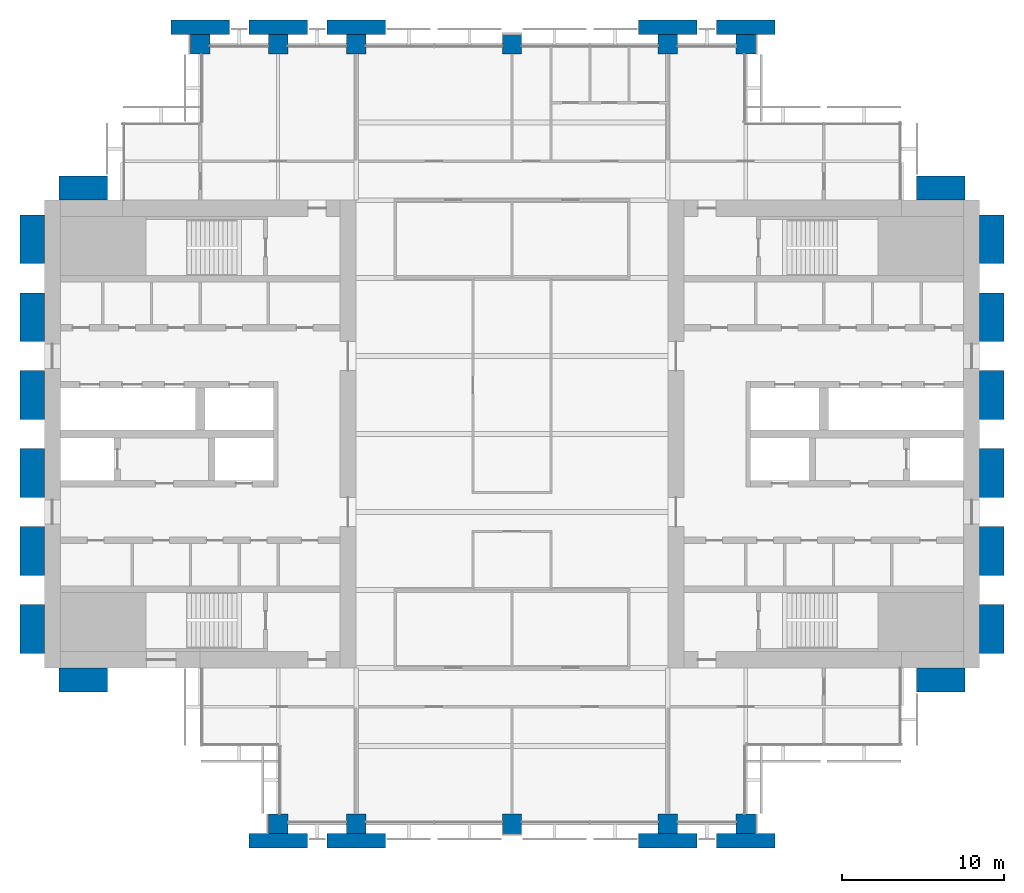
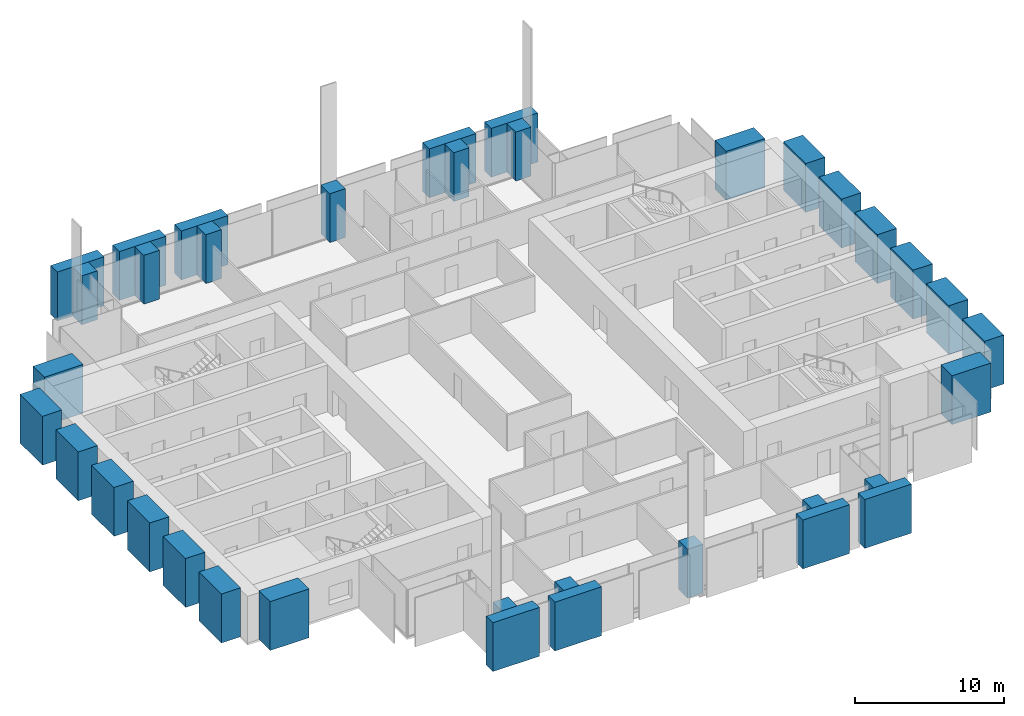
# One storey, part 1 of 14: 36 columns.
"""IFC4 building model written with IfcOpenShell, lengths in metres."""

from ifc_helpers import new_model, si_unit, direction, frame, origin, origin_2d, place, context, subcontext, project, spatial, rectangle, extrude, material, material_profile, profile_set, type_object, element, save


model = new_model("IFC4")

# Units and contexts
model_context = context("Model", 3, precision=1e-05, world=origin(), true_north=direction((0.0, 1.0)))
body_context = subcontext(model_context, "Body", "Model", "MODEL_VIEW")
ifc_project = project(units=[si_unit("LENGTHUNIT", "METRE"), si_unit("AREAUNIT", "SQUARE_METRE"), si_unit("VOLUMEUNIT", "CUBIC_METRE"), si_unit("PLANEANGLEUNIT", "RADIAN"), si_unit("MASSUNIT", "GRAM", prefix="KILO")], contexts=[model_context])

# Site, building, storey
site_placement = place(None, origin())
site = spatial("IfcSite", under=ifc_project, at=site_placement, CompositionType="ELEMENT")
building_placement = place(site_placement, origin())
building = spatial("IfcBuilding", under=site, at=building_placement, Name="Baori Bourse Tower", CompositionType="ELEMENT")
storey_placement = place(building_placement, frame((0.0, 0.0, 108.10009765625)))
storey = spatial("IfcBuildingStorey", under=building, at=storey_placement, Name="L22", CompositionType="ELEMENT", Elevation=108.10009765625)

# Columns
ifc_material_1 = material(Name="Concrete f'c 60 MPa", Category="concrete")
ifc_material_profile_1 = material_profile(ifc_material_1, rectangle(XDim=3.60009765625, YDim=0.89990234375, at=origin_2d()), Name="RC 3600x900")
ifc_profile_set_1 = profile_set([ifc_material_profile_1], Name="Concrete f'c 60 MPa")
column_type_1 = type_object("IfcColumnType", Name="FN3 Brick pilaster 3600x900", PredefinedType="PILASTER", material=ifc_profile_set_1)
for number, where, z_axis, x_axis, name in (
    (1, (14.39990234375, -1.050048828125, 0.0), (0.0, 0.0, 1.0), (1.0, 0.0, 0.0), "Brick pilaster L22 17"),
    (2, (19.199951171875, -1.050048828125, 0.0), (0.0, 0.0, 1.0), (1.0, 0.0, 0.0), "Brick pilaster L22 18"),
    (3, (38.39990234375, -1.050048828125, 0.0), (0.0, 0.0, 1.0), (1.0, 0.0, 0.0), "Brick pilaster L22 19"),
    (4, (43.199951171875, -1.050048828125, 0.0), (0.0, 0.0, 1.0), (1.0, 0.0, 0.0), "Brick pilaster L22 20"),
    (5, (9.60009765625, 49.050048828125, 0.0), (0.0, 0.0, 1.0), (1.0, 0.0, 0.0), "Brick pilaster L22 21"),
    (6, (14.39990234375, 49.050048828125, 0.0), (0.0, 0.0, 1.0), (1.0, 0.0, 0.0), "Brick pilaster L22 22"),
    (7, (19.199951171875, 49.050048828125, 0.0), (0.0, 0.0, 1.0), (1.0, 0.0, 0.0), "Brick pilaster L22 23"),
    (8, (38.39990234375, 49.050048828125, 0.0), (0.0, 0.0, 1.0), (1.0, 0.0, 0.0), "Brick pilaster L22 24"),
    (9, (43.199951171875, 49.050048828125, 0.0), (0.0, 0.0, 1.0), (1.0, 0.0, 0.0), "Brick pilaster L22 25"),
):
    element("IfcColumn", number, at=place(storey_placement, frame(where, z_axis=z_axis, x_axis=x_axis)), inside=storey, type_object=column_type_1, Name=name, PredefinedType="PILASTER", context=body_context, shape_type="SweptSolid", body=[
        extrude(rectangle(XDim=3.60009765625, YDim=0.89990234375, at=origin_2d()), origin(), (0.0, 0.0, 1.0), 4.0),
    ])
ifc_material_2 = material(Name="Concrete f'c 60 MPa", Category="concrete")
ifc_material_profile_2 = material_profile(ifc_material_2, rectangle(XDim=3.0, YDim=1.5, at=origin_2d()), Name="RC 3000x1500")
ifc_profile_set_2 = profile_set([ifc_material_profile_2], Name="Concrete f'c 60 MPa")
column_type_2 = type_object("IfcColumnType", Name="FN4 Brick flank pilaster 3000x1500", PredefinedType="PILASTER", material=ifc_profile_set_2)
for number, where, z_axis, x_axis, name in (
    (10, (55.199951171875, 8.85009765625, 0.0), (0.0, 0.0, 1.0), (1.0, 0.0, 0.0), "Brick pilaster L22 1"),
    (11, (58.35009765625, 12.0, 0.0), (0.0, 0.0, 1.0), (0.0, 1.0, 0.0), "Brick pilaster L22 2"),
    (12, (58.35009765625, 16.800048828125, 0.0), (0.0, 0.0, 1.0), (0.0, 1.0, 0.0), "Brick pilaster L22 3"),
    (13, (58.35009765625, 21.60009765625, 0.0), (0.0, 0.0, 1.0), (0.0, 1.0, 0.0), "Brick pilaster L22 4"),
    (14, (58.35009765625, 26.39990234375, 0.0), (0.0, 0.0, 1.0), (0.0, 1.0, 0.0), "Brick pilaster L22 5"),
    (15, (58.35009765625, 31.199951171875, 0.0), (0.0, 0.0, 1.0), (0.0, 1.0, 0.0), "Brick pilaster L22 6"),
    (16, (58.35009765625, 36.0, 0.0), (0.0, 0.0, 1.0), (0.0, 1.0, 0.0), "Brick pilaster L22 7"),
    (17, (55.199951171875, 39.14990234375, 0.0), (0.0, 0.0, 1.0), (1.0, 0.0, 0.0), "Brick pilaster L22 8"),
    (18, (2.39990234375, 39.14990234375, 0.0), (0.0, 0.0, 1.0), (1.0, 0.0, 0.0), "Brick pilaster L22 9"),
    (19, (-0.75, 12.0, 0.0), (0.0, 0.0, 1.0), (0.0, 1.0, 0.0), "Brick pilaster L22 10"),
    (20, (-0.75, 16.800048828125, 0.0), (0.0, 0.0, 1.0), (0.0, 1.0, 0.0), "Brick pilaster L22 11"),
    (21, (-0.75, 21.60009765625, 0.0), (0.0, 0.0, 1.0), (0.0, 1.0, 0.0), "Brick pilaster L22 12"),
    (22, (-0.75, 26.39990234375, 0.0), (0.0, 0.0, 1.0), (0.0, 1.0, 0.0), "Brick pilaster L22 13"),
    (23, (-0.75, 31.199951171875, 0.0), (0.0, 0.0, 1.0), (0.0, 1.0, 0.0), "Brick pilaster L22 14"),
    (24, (-0.75, 36.0, 0.0), (0.0, 0.0, 1.0), (0.0, 1.0, 0.0), "Brick pilaster L22 15"),
    (25, (2.39990234375, 8.85009765625, 0.0), (0.0, 0.0, 1.0), (1.0, 0.0, 0.0), "Brick pilaster L22 16"),
):
    element("IfcColumn", number, at=place(storey_placement, frame(where, z_axis=z_axis, x_axis=x_axis)), inside=storey, type_object=column_type_2, Name=name, PredefinedType="PILASTER", context=body_context, shape_type="SweptSolid", body=[
        extrude(rectangle(XDim=3.0, YDim=1.5, at=origin_2d()), origin(), (0.0, 0.0, 1.0), 4.0),
    ])
ifc_material_3 = material(Name="Concrete f'c 60 MPa", Category="concrete")
ifc_material_profile_3 = material_profile(ifc_material_3, rectangle(XDim=1.199951171875, YDim=1.199951171875, at=origin_2d()), Name="RC 1200x1200")
ifc_profile_set_3 = profile_set([ifc_material_profile_3], Name="Concrete f'c 60 MPa")
column_type_3 = type_object("IfcColumnType", Name="Perimeter column 60 RC 1200x1200", PredefinedType="COLUMN", material=ifc_profile_set_3)
for number, where, z_axis, x_axis, name in (
    (26, (14.39990234375, 0.0, 0.0), (0.0, 0.0, 1.0), (1.0, 0.0, 0.0), "Perimeter column L22"),
    (27, (19.199951171875, 0.0, 0.0), (0.0, 0.0, 1.0), (1.0, 0.0, 0.0), "Perimeter column L22"),
    (28, (28.800048828125, 0.0, 0.0), (0.0, 0.0, 1.0), (1.0, 0.0, 0.0), "Perimeter column L22"),
    (29, (38.39990234375, 0.0, 0.0), (0.0, 0.0, 1.0), (1.0, 0.0, 0.0), "Perimeter column L22"),
    (30, (43.199951171875, 0.0, 0.0), (0.0, 0.0, 1.0), (1.0, 0.0, 0.0), "Perimeter column L22"),
    (31, (9.60009765625, 48.0, 0.0), (0.0, 0.0, 1.0), (1.0, 0.0, 0.0), "Perimeter column L22"),
    (32, (14.39990234375, 48.0, 0.0), (0.0, 0.0, 1.0), (1.0, 0.0, 0.0), "Perimeter column L22"),
    (33, (19.199951171875, 48.0, 0.0), (0.0, 0.0, 1.0), (1.0, 0.0, 0.0), "Perimeter column L22"),
    (34, (28.800048828125, 48.0, 0.0), (0.0, 0.0, 1.0), (1.0, 0.0, 0.0), "Perimeter column L22"),
    (35, (38.39990234375, 48.0, 0.0), (0.0, 0.0, 1.0), (1.0, 0.0, 0.0), "Perimeter column L22"),
    (36, (43.199951171875, 48.0, 0.0), (0.0, 0.0, 1.0), (1.0, 0.0, 0.0), "Perimeter column L22"),
):
    element("IfcColumn", number, at=place(storey_placement, frame(where, z_axis=z_axis, x_axis=x_axis)), inside=storey, type_object=column_type_3, Name=name, PredefinedType="COLUMN", context=body_context, shape_type="SweptSolid", body=[
        extrude(rectangle(XDim=1.199951171875, YDim=1.199951171875, at=origin_2d()), origin(), (0.0, 0.0, 1.0), 4.0),
    ])

save(model, "model.ifc")
